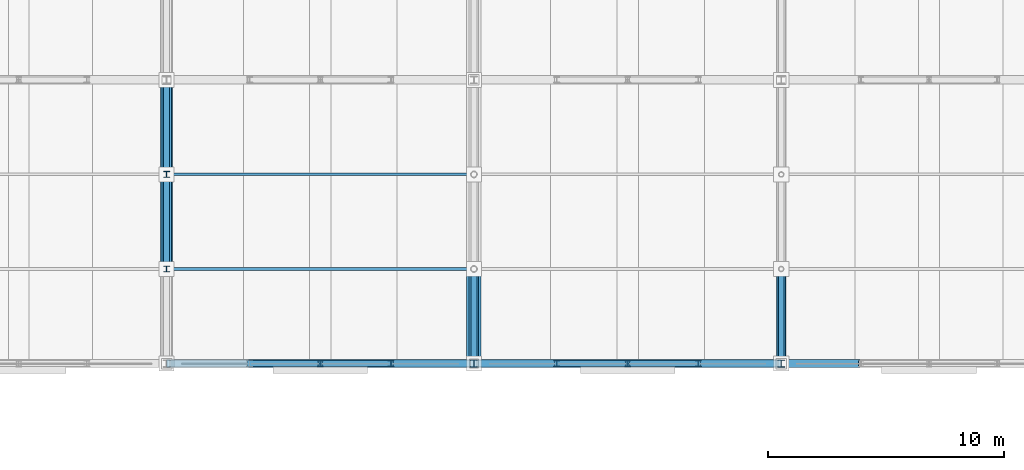
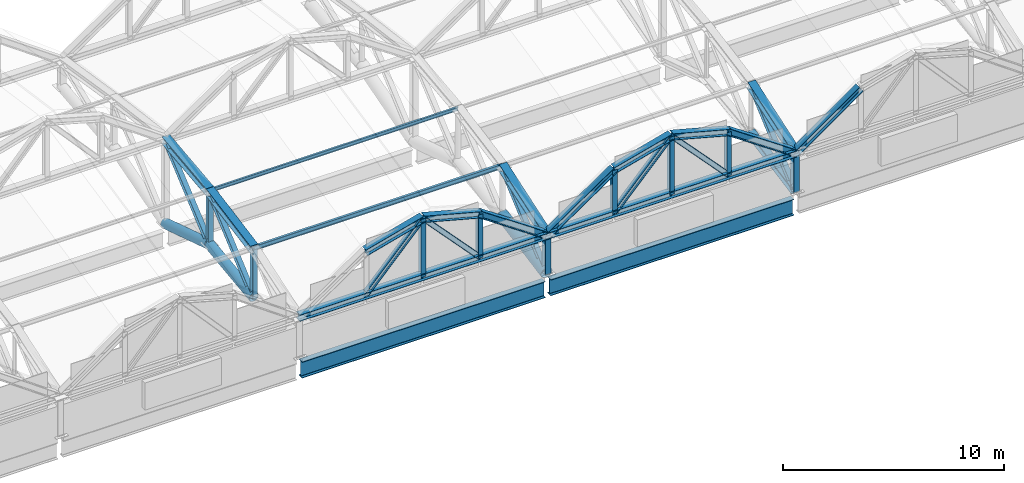
# One storey, part 22 of 117: 37 members, 2 beams.
"""IFC4 building model written with IfcOpenShell, lengths in metres."""

from ifc_helpers import new_model, si_unit, direction, frame, origin, origin_2d, place, context, subcontext, project, spatial, hollow_circle, i_section, extrude, material, material_profile, profile_set, type_object, element, save


model = new_model("IFC4")

# Units and contexts
model_context = context("Model", 3, precision=1e-05, world=origin(), true_north=direction((0.0, 1.0)))
body_context = subcontext(model_context, "Body", "Model", "MODEL_VIEW")
ifc_project = project(units=[si_unit("LENGTHUNIT", "METRE"), si_unit("AREAUNIT", "SQUARE_METRE"), si_unit("VOLUMEUNIT", "CUBIC_METRE"), si_unit("PLANEANGLEUNIT", "RADIAN"), si_unit("MASSUNIT", "GRAM", prefix="KILO")], contexts=[model_context])

# Site, building, storey
site_placement = place(None, origin())
site = spatial("IfcSite", under=ifc_project, at=site_placement, CompositionType="ELEMENT")
building_placement = place(site_placement, origin())
building = spatial("IfcBuilding", under=site, at=building_placement, Name="Kazenohara Klinker Stadium", CompositionType="ELEMENT")
storey_placement = place(building_placement, frame((0.0, 0.0, 31.199951171875)))
storey = spatial("IfcBuildingStorey", under=building, at=storey_placement, Name="RF", CompositionType="ELEMENT", Elevation=31.199951171875)

# Members
ifc_material = material(Name="Steel S355", Category="steel")
ifc_material_profile_1 = material_profile(ifc_material, i_section(OverallWidth=0.25, OverallDepth=0.25, WebThickness=0.009033203125, FlangeThickness=0.013916015625, FilletRadius=0.012939453125, at=origin_2d()), Name="H-250x250x9x14")
ifc_profile_set_1 = profile_set([ifc_material_profile_1], Name="Steel S355")
member_type_1 = type_object("IfcMemberType", Name="MEM-BRC02", PredefinedType="BRACE", material=ifc_profile_set_1)
member_1_placement = place(storey_placement, frame((99.0, 28.0, 0.75), z_axis=(0.0, 0.757253091298, 0.653121547432), x_axis=(-1.0, 0.0, 0.0)))
element("IfcMember", 1, at=member_1_placement, inside=storey, type_object=member_type_1, Name="ROOF TRUSS RT-S04 web diagonal 2", PredefinedType="BRACE", context=body_context, shape_type="SweptSolid", body=[
    extrude(i_section(OverallWidth=0.25, OverallDepth=0.25, WebThickness=0.009033203125, FlangeThickness=0.013916015625, FilletRadius=0.012939453125, at=origin_2d()), origin(), (0.0, 0.0, 1.0), 5.2822265625),
])
member_2_placement = place(storey_placement, frame((99.0, 32.0, 1.25), z_axis=(0.0, 0.761925548551, 0.647664618815), x_axis=(-1.0, 0.0, 0.0)))
element("IfcMember", 2, at=member_2_placement, inside=storey, type_object=member_type_1, Name="ROOF TRUSS RT-S04 web diagonal 3", PredefinedType="BRACE", context=body_context, shape_type="SweptSolid", body=[
    extrude(i_section(OverallWidth=0.25, OverallDepth=0.25, WebThickness=0.009033203125, FlangeThickness=0.013916015625, FilletRadius=0.012939453125, at=origin_2d()), origin(), (0.0, 0.0, 1.0), 5.249755859375),
])
for number, where, z_axis, x_axis, name in (
    (3, (112.0, 24.0, -0.02001953125), (0.0, 0.755380190588, 0.655286782765), (-1.0, 0.0, 0.0), "ROOF TRUSS RT-S05 web diagonal 1"),
    (4, (125.0, 24.0, -0.02001953125), (0.0, 0.755380190588, 0.655286782765), (-1.0, 0.0, 0.0), "ROOF TRUSS RT-S06 web diagonal 1"),
):
    element("IfcMember", number, at=place(storey_placement, frame(where, z_axis=z_axis, x_axis=x_axis)), inside=storey, type_object=member_type_1, Name=name, PredefinedType="BRACE", context=body_context, shape_type="SweptSolid", body=[
        extrude(i_section(OverallWidth=0.25, OverallDepth=0.25, WebThickness=0.009033203125, FlangeThickness=0.013916015625, FilletRadius=0.012939453125, at=origin_2d()), origin(), (0.0, 0.0, 1.0), 5.29541015625),
    ])
ifc_material_profile_2 = material_profile(ifc_material, i_section(OverallWidth=0.39990234375, OverallDepth=0.39990234375, WebThickness=0.012939453125, FlangeThickness=0.02099609375, FilletRadius=0.02197265625, at=origin_2d()), Name="H-400x400x13x21")
ifc_profile_set_2 = profile_set([ifc_material_profile_2], Name="Steel S355")
member_type_2 = type_object("IfcMemberType", Name="MEM-CHD01", PredefinedType="CHORD", material=ifc_profile_set_2)
member_3_placement = place(storey_placement, frame((99.0, 28.0, 3.449951171875), z_axis=(0.0, 0.982872186934, 0.18428853505), x_axis=(-1.0, 0.0, 0.0)))
element("IfcMember", 5, at=member_3_placement, inside=storey, type_object=member_type_2, Name="ROOF TRUSS RT-S04 top arched chord 2", PredefinedType="CHORD", context=body_context, shape_type="SweptSolid", body=[
    extrude(i_section(OverallWidth=0.39990234375, OverallDepth=0.39990234375, WebThickness=0.012939453125, FlangeThickness=0.02099609375, FilletRadius=0.02197265625, at=origin_2d()), origin(), (0.0, 0.0, 1.0), 4.06982421875),
])
member_4_placement = place(storey_placement, frame((99.0, 32.0, 4.199951171875), z_axis=(0.0, 0.993725924527, 0.111842688283), x_axis=(-1.0, 0.0, 0.0)))
element("IfcMember", 6, at=member_4_placement, inside=storey, type_object=member_type_2, Name="ROOF TRUSS RT-S04 top arched chord 3", PredefinedType="CHORD", context=body_context, shape_type="SweptSolid", body=[
    extrude(i_section(OverallWidth=0.39990234375, OverallDepth=0.39990234375, WebThickness=0.012939453125, FlangeThickness=0.02099609375, FilletRadius=0.02197265625, at=origin_2d()), origin(), (0.0, 0.0, 1.0), 4.025146484375),
])
for number, where, z_axis, x_axis, name in (
    (7, (112.0, 24.0, 2.10009765625), (0.0, 0.947502791724, 0.319747493618), (-1.0, 0.0, 0.0), "ROOF TRUSS RT-S05 top arched chord 1"),
    (8, (125.0, 24.0, 2.10009765625), (0.0, 0.947502791724, 0.319747493618), (-1.0, 0.0, 0.0), "ROOF TRUSS RT-S06 top arched chord 1"),
):
    element("IfcMember", number, at=place(storey_placement, frame(where, z_axis=z_axis, x_axis=x_axis)), inside=storey, type_object=member_type_2, Name=name, PredefinedType="CHORD", context=body_context, shape_type="SweptSolid", body=[
        extrude(i_section(OverallWidth=0.39990234375, OverallDepth=0.39990234375, WebThickness=0.012939453125, FlangeThickness=0.02099609375, FilletRadius=0.02197265625, at=origin_2d()), origin(), (0.0, 0.0, 1.0), 4.2216796875),
    ])
ifc_material_profile_3 = material_profile(ifc_material, i_section(OverallWidth=0.35009765625, OverallDepth=0.35009765625, WebThickness=0.011962890625, FlangeThickness=0.01904296875, FilletRadius=0.012939453125, at=origin_2d()), Name="H-350x350x12x19")
ifc_profile_set_3 = profile_set([ifc_material_profile_3], Name="Steel S355")
member_type_3 = type_object("IfcMemberType", Name="MEM-CHD02", PredefinedType="CHORD", material=ifc_profile_set_3)
member_5_placement = place(storey_placement, frame((125.0, 24.0, -0.02001953125), z_axis=(0.0, 0.981970519692, 0.189034119819), x_axis=(-1.0, 0.0, 0.0)))
element("IfcMember", 9, at=member_5_placement, inside=storey, type_object=member_type_3, Name="ROOF TRUSS RT-S06 bottom arched chord 1", PredefinedType="CHORD", context=body_context, shape_type="SweptSolid", body=[
    extrude(i_section(OverallWidth=0.35009765625, OverallDepth=0.35009765625, WebThickness=0.011962890625, FlangeThickness=0.01904296875, FilletRadius=0.012939453125, at=origin_2d()), origin(), (0.0, 0.0, 1.0), 4.073486328125),
])
member_6_placement = place(storey_placement, frame((99.0, 24.0, 2.10009765625), z_axis=(1.0, 0.0, 0.0), x_axis=(0.0, 1.0, 0.0)))
element("IfcMember", 10, at=member_6_placement, inside=storey, type_object=member_type_3, Name="Barrel arch tie chord TC02 S-04-N0", PredefinedType="CHORD", context=body_context, shape_type="SweptSolid", body=[
    extrude(i_section(OverallWidth=0.35009765625, OverallDepth=0.35009765625, WebThickness=0.011962890625, FlangeThickness=0.01904296875, FilletRadius=0.012939453125, at=origin_2d()), origin(), (0.0, 0.0, 1.0), 13.0),
])
for number, where, z_axis, x_axis, name in (
    (11, (102.510009765625, 24.0, 4.5), (0.966015959624, 0.0, 0.258482428324), (0.0, 1.0, 0.0), "Barrel arch top rib TC02 S-04-N0-S2"),
    (12, (105.5, 24.0, 5.300048828125), (0.966015959624, 0.0, -0.258482428324), (0.0, 1.0, 0.0), "Barrel arch top rib TC02 S-04-N0-S3"),
):
    element("IfcMember", number, at=place(storey_placement, frame(where, z_axis=z_axis, x_axis=x_axis)), inside=storey, type_object=member_type_3, Name=name, PredefinedType="CHORD", context=body_context, shape_type="SweptSolid", body=[
        extrude(i_section(OverallWidth=0.35009765625, OverallDepth=0.35009765625, WebThickness=0.011962890625, FlangeThickness=0.01904296875, FilletRadius=0.012939453125, at=origin_2d()), origin(), (0.0, 0.0, 1.0), 3.09521484375),
    ])
member_7_placement = place(storey_placement, frame((108.489990234375, 24.0, 4.5), z_axis=(0.825491711615, 0.0, -0.56441423977), x_axis=(0.0, 1.0, 0.0)))
element("IfcMember", 13, at=member_7_placement, inside=storey, type_object=member_type_3, Name="Barrel arch top rib TC02 S-04-N0-S4", PredefinedType="CHORD", context=body_context, shape_type="SweptSolid", body=[
    extrude(i_section(OverallWidth=0.35009765625, OverallDepth=0.35009765625, WebThickness=0.011962890625, FlangeThickness=0.01904296875, FilletRadius=0.012939453125, at=origin_2d()), origin(), (0.0, 0.0, 1.0), 4.251953125),
])
member_8_placement = place(storey_placement, frame((112.0, 24.0, 2.10009765625), z_axis=(1.0, 0.0, 0.0), x_axis=(0.0, 1.0, 0.0)))
element("IfcMember", 14, at=member_8_placement, inside=storey, type_object=member_type_3, Name="Barrel arch tie chord TC02 S-05-N0", PredefinedType="CHORD", context=body_context, shape_type="SweptSolid", body=[
    extrude(i_section(OverallWidth=0.35009765625, OverallDepth=0.35009765625, WebThickness=0.011962890625, FlangeThickness=0.01904296875, FilletRadius=0.012939453125, at=origin_2d()), origin(), (0.0, 0.0, 1.0), 13.0),
])
member_9_placement = place(storey_placement, frame((112.0, 24.0, 2.10009765625), z_axis=(0.825491711615, 0.0, 0.56441423977), x_axis=(0.0, 1.0, 0.0)))
element("IfcMember", 15, at=member_9_placement, inside=storey, type_object=member_type_3, Name="Barrel arch top rib TC02 S-05-N0-S1", PredefinedType="CHORD", context=body_context, shape_type="SweptSolid", body=[
    extrude(i_section(OverallWidth=0.35009765625, OverallDepth=0.35009765625, WebThickness=0.011962890625, FlangeThickness=0.01904296875, FilletRadius=0.012939453125, at=origin_2d()), origin(), (0.0, 0.0, 1.0), 4.251953125),
])
for number, where, z_axis, x_axis, name in (
    (16, (115.510009765625, 24.0, 4.5), (0.966015959624, 0.0, 0.258482428324), (0.0, 1.0, 0.0), "Barrel arch top rib TC02 S-05-N0-S2"),
    (17, (118.5, 24.0, 5.300048828125), (0.966015959624, 0.0, -0.258482428324), (0.0, 1.0, 0.0), "Barrel arch top rib TC02 S-05-N0-S3"),
):
    element("IfcMember", number, at=place(storey_placement, frame(where, z_axis=z_axis, x_axis=x_axis)), inside=storey, type_object=member_type_3, Name=name, PredefinedType="CHORD", context=body_context, shape_type="SweptSolid", body=[
        extrude(i_section(OverallWidth=0.35009765625, OverallDepth=0.35009765625, WebThickness=0.011962890625, FlangeThickness=0.01904296875, FilletRadius=0.012939453125, at=origin_2d()), origin(), (0.0, 0.0, 1.0), 3.09521484375),
    ])
member_10_placement = place(storey_placement, frame((121.489990234375, 24.0, 4.5), z_axis=(0.825491711615, 0.0, -0.56441423977), x_axis=(0.0, 1.0, 0.0)))
element("IfcMember", 18, at=member_10_placement, inside=storey, type_object=member_type_3, Name="Barrel arch top rib TC02 S-05-N0-S4", PredefinedType="CHORD", context=body_context, shape_type="SweptSolid", body=[
    extrude(i_section(OverallWidth=0.35009765625, OverallDepth=0.35009765625, WebThickness=0.011962890625, FlangeThickness=0.01904296875, FilletRadius=0.012939453125, at=origin_2d()), origin(), (0.0, 0.0, 1.0), 4.251953125),
])
member_11_placement = place(storey_placement, frame((125.0, 24.0, 2.10009765625), z_axis=(0.814966461491, 0.0, 0.579508124744), x_axis=(0.0, 1.0, 0.0)))
element("IfcMember", 19, at=member_11_placement, inside=storey, type_object=member_type_3, Name="Barrel arch top rib TC02 S-06-N0-S1", PredefinedType="CHORD", context=body_context, shape_type="SweptSolid", body=[
    extrude(i_section(OverallWidth=0.35009765625, OverallDepth=0.35009765625, WebThickness=0.011962890625, FlangeThickness=0.01904296875, FilletRadius=0.012939453125, at=origin_2d()), origin(), (0.0, 0.0, 1.0), 4.141357421875),
])
ifc_material_profile_4 = material_profile(ifc_material, hollow_circle(Radius=0.25390625, WallThickness=0.01611328125, at=origin_2d()), Name="CHS-508.0x16")
ifc_profile_set_4 = profile_set([ifc_material_profile_4], Name="Steel S355")
member_type_4 = type_object("IfcMemberType", Name="MEM-CHD04", PredefinedType="CHORD", material=ifc_profile_set_4)
member_12_placement = place(storey_placement, frame((99.0, 28.0, 0.75), z_axis=(0.0, 0.992277876714, 0.124034734589), x_axis=(-1.0, 0.0, 0.0)))
element("IfcMember", 20, at=member_12_placement, inside=storey, type_object=member_type_4, Name="ROOF TRUSS RT-S04 bottom arched chord 2", PredefinedType="CHORD", context=body_context, shape_type="SweptSolid", body=[
    extrude(hollow_circle(Radius=0.25390625, WallThickness=0.01611328125, at=origin_2d()), origin(), (0.0, 0.0, 1.0), 4.03125),
])
member_13_placement = place(storey_placement, frame((99.0, 32.0, 1.25), z_axis=(0.0, 0.953112016541, -0.302617719119), x_axis=(-1.0, 0.0, 0.0)))
element("IfcMember", 21, at=member_13_placement, inside=storey, type_object=member_type_4, Name="ROOF TRUSS RT-S04 bottom arched chord 3", PredefinedType="CHORD", context=body_context, shape_type="SweptSolid", body=[
    extrude(hollow_circle(Radius=0.25390625, WallThickness=0.01611328125, at=origin_2d()), origin(), (0.0, 0.0, 1.0), 4.19677734375),
])
ifc_material_profile_5 = material_profile(ifc_material, hollow_circle(Radius=0.3046875, WallThickness=0.01611328125, at=origin_2d()), Name="CHS-609.6x16")
ifc_profile_set_5 = profile_set([ifc_material_profile_5], Name="Steel S355")
member_type_5 = type_object("IfcMemberType", Name="MEM-CHD05", PredefinedType="CHORD", material=ifc_profile_set_5)
member_14_placement = place(storey_placement, frame((112.0, 24.0, -0.02001953125), z_axis=(0.0, 0.981970519692, 0.189034119819), x_axis=(-1.0, 0.0, 0.0)))
element("IfcMember", 22, at=member_14_placement, inside=storey, type_object=member_type_5, Name="ROOF TRUSS RT-S05 bottom arched chord 1", PredefinedType="CHORD", context=body_context, shape_type="SweptSolid", body=[
    extrude(hollow_circle(Radius=0.3046875, WallThickness=0.01611328125, at=origin_2d()), origin(), (0.0, 0.0, 1.0), 4.073486328125),
])
ifc_material_profile_6 = material_profile(ifc_material, i_section(OverallWidth=0.125, OverallDepth=0.25, WebThickness=0.006103515625, FlangeThickness=0.009033203125, FilletRadius=0.008056640625, at=origin_2d()), Name="H-250x125x6x9")
ifc_profile_set_6 = profile_set([ifc_material_profile_6], Name="Steel S355")
member_type_6 = type_object("IfcMemberType", Name="MEM-PUR01", PredefinedType="PURLIN", material=ifc_profile_set_6)
member_15_placement = place(storey_placement, frame((99.0, 28.0, 3.469970703125), z_axis=(1.0, 0.0, 0.0), x_axis=(0.0, 1.0, 0.0)))
element("IfcMember", 23, at=member_15_placement, inside=storey, type_object=member_type_6, Name="Canopy valley tie purlin PR01 S-04-N1", PredefinedType="PURLIN", context=body_context, shape_type="SweptSolid", body=[
    extrude(i_section(OverallWidth=0.125, OverallDepth=0.25, WebThickness=0.006103515625, FlangeThickness=0.009033203125, FilletRadius=0.008056640625, at=origin_2d()), origin(), (0.0, 0.0, 1.0), 13.0),
])
ifc_material_profile_7 = material_profile(ifc_material, i_section(OverallWidth=0.10009765625, OverallDepth=0.199951171875, WebThickness=0.005615234375, FlangeThickness=0.008056640625, FilletRadius=0.008056640625, at=origin_2d()), Name="H-200x100x5.5x8")
ifc_profile_set_7 = profile_set([ifc_material_profile_7], Name="Steel S355")
member_type_7 = type_object("IfcMemberType", Name="MEM-PUR02", PredefinedType="PURLIN", material=ifc_profile_set_7)
member_16_placement = place(storey_placement, frame((99.0, 32.0, 4.219970703125), z_axis=(1.0, 0.0, 0.0), x_axis=(0.0, 1.0, 0.0)))
element("IfcMember", 24, at=member_16_placement, inside=storey, type_object=member_type_7, Name="Canopy valley tie purlin PR02 S-04-N2", PredefinedType="PURLIN", context=body_context, shape_type="SweptSolid", body=[
    extrude(i_section(OverallWidth=0.10009765625, OverallDepth=0.199951171875, WebThickness=0.005615234375, FlangeThickness=0.008056640625, FilletRadius=0.008056640625, at=origin_2d()), origin(), (0.0, 0.0, 1.0), 13.0),
])
ifc_material_profile_8 = material_profile(ifc_material, i_section(OverallWidth=0.300048828125, OverallDepth=0.300048828125, WebThickness=0.010009765625, FlangeThickness=0.014892578125, FilletRadius=0.012939453125, at=origin_2d()), Name="H-300x300x10x15")
ifc_profile_set_8 = profile_set([ifc_material_profile_8], Name="Steel S355")
member_type_8 = type_object("IfcMemberType", Name="MEM-STR01", PredefinedType="STRUT", material=ifc_profile_set_8)
for number, where, z_axis, x_axis, name in (
    (25, (112.0, 24.0, -0.02001953125), (0.0, 0.0, 1.0), (1.0, 0.0, 0.0), "ROOF TRUSS RT-S05 web post 1"),
    (26, (125.0, 24.0, -0.02001953125), (0.0, 0.0, 1.0), (1.0, 0.0, 0.0), "ROOF TRUSS RT-S06 web post 1"),
):
    element("IfcMember", number, at=place(storey_placement, frame(where, z_axis=z_axis, x_axis=x_axis)), inside=storey, type_object=member_type_8, Name=name, PredefinedType="STRUT", context=body_context, shape_type="SweptSolid", body=[
        extrude(i_section(OverallWidth=0.300048828125, OverallDepth=0.300048828125, WebThickness=0.010009765625, FlangeThickness=0.014892578125, FilletRadius=0.012939453125, at=origin_2d()), origin(), (0.0, 0.0, 1.0), 2.1201171875),
    ])
ifc_material_profile_9 = material_profile(ifc_material, i_section(OverallWidth=0.25, OverallDepth=0.25, WebThickness=0.009033203125, FlangeThickness=0.013916015625, FilletRadius=0.012939453125, at=origin_2d()), Name="H-250x250x9x14")
ifc_profile_set_9 = profile_set([ifc_material_profile_9], Name="Steel S355")
member_type_9 = type_object("IfcMemberType", Name="MEM-STR02", PredefinedType="STRUT", material=ifc_profile_set_9)
member_17_placement = place(storey_placement, frame((99.0, 28.0, 0.75), z_axis=(0.0, 0.0, 1.0), x_axis=(1.0, 0.0, 0.0)))
element("IfcMember", 27, at=member_17_placement, inside=storey, type_object=member_type_9, Name="ROOF TRUSS RT-S04 web post 2", PredefinedType="STRUT", context=body_context, shape_type="SweptSolid", body=[
    extrude(i_section(OverallWidth=0.25, OverallDepth=0.25, WebThickness=0.009033203125, FlangeThickness=0.013916015625, FilletRadius=0.012939453125, at=origin_2d()), origin(), (0.0, 0.0, 1.0), 2.699951171875),
])
member_18_placement = place(storey_placement, frame((99.0, 32.0, 1.25), z_axis=(0.0, 0.0, 1.0), x_axis=(1.0, 0.0, 0.0)))
element("IfcMember", 28, at=member_18_placement, inside=storey, type_object=member_type_9, Name="ROOF TRUSS RT-S04 web post 3", PredefinedType="STRUT", context=body_context, shape_type="SweptSolid", body=[
    extrude(i_section(OverallWidth=0.25, OverallDepth=0.25, WebThickness=0.009033203125, FlangeThickness=0.013916015625, FilletRadius=0.012939453125, at=origin_2d()), origin(), (0.0, 0.0, 1.0), 2.949951171875),
])
member_19_placement = place(storey_placement, frame((105.5, 24.0, 2.10009765625), z_axis=(0.0, 0.0, 1.0), x_axis=(1.0, 0.0, 0.0)))
element("IfcMember", 29, at=member_19_placement, inside=storey, type_object=member_type_9, Name="Barrel arch web post TS02 S-04-N0-P2", PredefinedType="STRUT", context=body_context, shape_type="SweptSolid", body=[
    extrude(i_section(OverallWidth=0.25, OverallDepth=0.25, WebThickness=0.009033203125, FlangeThickness=0.013916015625, FilletRadius=0.012939453125, at=origin_2d()), origin(), (0.0, 0.0, 1.0), 3.199951171875),
])
member_20_placement = place(storey_placement, frame((108.489990234375, 24.0, 2.10009765625), z_axis=(0.0, 0.0, 1.0), x_axis=(1.0, 0.0, 0.0)))
element("IfcMember", 30, at=member_20_placement, inside=storey, type_object=member_type_9, Name="Barrel arch web post TS02 S-04-N0-P3", PredefinedType="STRUT", context=body_context, shape_type="SweptSolid", body=[
    extrude(i_section(OverallWidth=0.25, OverallDepth=0.25, WebThickness=0.009033203125, FlangeThickness=0.013916015625, FilletRadius=0.012939453125, at=origin_2d()), origin(), (0.0, 0.0, 1.0), 2.39990234375),
])
for number, where, z_axis, x_axis, name in (
    (31, (102.510009765625, 24.0, 2.10009765625), (0.682729290589, 0.0, 0.730671414366), (0.0, 1.0, 0.0), "Barrel arch web diagonal TS02 S-04-N0-D1"),
    (32, (108.489990234375, 24.0, 2.10009765625), (-0.682729290589, 0.0, 0.730671414366), (0.0, -1.0, 0.0), "Barrel arch web diagonal TS02 S-04-N0-D2"),
):
    element("IfcMember", number, at=place(storey_placement, frame(where, z_axis=z_axis, x_axis=x_axis)), inside=storey, type_object=member_type_9, Name=name, PredefinedType="STRUT", context=body_context, shape_type="SweptSolid", body=[
        extrude(i_section(OverallWidth=0.25, OverallDepth=0.25, WebThickness=0.009033203125, FlangeThickness=0.013916015625, FilletRadius=0.012939453125, at=origin_2d()), origin(), (0.0, 0.0, 1.0), 4.37939453125),
    ])
member_21_placement = place(storey_placement, frame((115.510009765625, 24.0, 2.10009765625), z_axis=(0.0, 0.0, 1.0), x_axis=(1.0, 0.0, 0.0)))
element("IfcMember", 33, at=member_21_placement, inside=storey, type_object=member_type_9, Name="Barrel arch web post TS02 S-05-N0-P1", PredefinedType="STRUT", context=body_context, shape_type="SweptSolid", body=[
    extrude(i_section(OverallWidth=0.25, OverallDepth=0.25, WebThickness=0.009033203125, FlangeThickness=0.013916015625, FilletRadius=0.012939453125, at=origin_2d()), origin(), (0.0, 0.0, 1.0), 2.39990234375),
])
member_22_placement = place(storey_placement, frame((118.5, 24.0, 2.10009765625), z_axis=(0.0, 0.0, 1.0), x_axis=(1.0, 0.0, 0.0)))
element("IfcMember", 34, at=member_22_placement, inside=storey, type_object=member_type_9, Name="Barrel arch web post TS02 S-05-N0-P2", PredefinedType="STRUT", context=body_context, shape_type="SweptSolid", body=[
    extrude(i_section(OverallWidth=0.25, OverallDepth=0.25, WebThickness=0.009033203125, FlangeThickness=0.013916015625, FilletRadius=0.012939453125, at=origin_2d()), origin(), (0.0, 0.0, 1.0), 3.199951171875),
])
member_23_placement = place(storey_placement, frame((121.489990234375, 24.0, 2.10009765625), z_axis=(0.0, 0.0, 1.0), x_axis=(1.0, 0.0, 0.0)))
element("IfcMember", 35, at=member_23_placement, inside=storey, type_object=member_type_9, Name="Barrel arch web post TS02 S-05-N0-P3", PredefinedType="STRUT", context=body_context, shape_type="SweptSolid", body=[
    extrude(i_section(OverallWidth=0.25, OverallDepth=0.25, WebThickness=0.009033203125, FlangeThickness=0.013916015625, FilletRadius=0.012939453125, at=origin_2d()), origin(), (0.0, 0.0, 1.0), 2.39990234375),
])
for number, where, z_axis, x_axis, name in (
    (36, (115.510009765625, 24.0, 2.10009765625), (0.682729290589, 0.0, 0.730671414366), (0.0, 1.0, 0.0), "Barrel arch web diagonal TS02 S-05-N0-D1"),
    (37, (121.489990234375, 24.0, 2.10009765625), (-0.682729290589, 0.0, 0.730671414366), (0.0, -1.0, 0.0), "Barrel arch web diagonal TS02 S-05-N0-D2"),
):
    element("IfcMember", number, at=place(storey_placement, frame(where, z_axis=z_axis, x_axis=x_axis)), inside=storey, type_object=member_type_9, Name=name, PredefinedType="STRUT", context=body_context, shape_type="SweptSolid", body=[
        extrude(i_section(OverallWidth=0.25, OverallDepth=0.25, WebThickness=0.009033203125, FlangeThickness=0.013916015625, FilletRadius=0.012939453125, at=origin_2d()), origin(), (0.0, 0.0, 1.0), 4.37939453125),
    ])

# Beams
ifc_material_profile_10 = material_profile(ifc_material, i_section(OverallWidth=0.300048828125, OverallDepth=0.89990234375, WebThickness=0.01611328125, FlangeThickness=0.028076171875, FilletRadius=0.02197265625, at=origin_2d()), Name="H-900x300x16x28")
ifc_profile_set_10 = profile_set([ifc_material_profile_10], Name="Steel S355")
beam_type = type_object("IfcBeamType", Name="RING-RB01", PredefinedType="USERDEFINED", material=ifc_profile_set_10)
for number, where, z_axis, x_axis, name in (
    (38, (99.139892578125, 24.0, -0.820068359375), (1.0, 0.0, 0.0), (0.0, 1.0, 0.0), "Roof ring beam RB01 S-OUT 9-10"),
    (39, (112.139892578125, 24.0, -0.820068359375), (1.0, 0.0, 0.0), (0.0, 1.0, 0.0), "Roof ring beam RB01 S-OUT 10-11"),
):
    element("IfcBeam", number, at=place(storey_placement, frame(where, z_axis=z_axis, x_axis=x_axis)), inside=storey, type_object=beam_type, Name=name, ObjectType="RING BEAM", PredefinedType="USERDEFINED", context=body_context, shape_type="SweptSolid", body=[
        extrude(i_section(OverallWidth=0.300048828125, OverallDepth=0.89990234375, WebThickness=0.01611328125, FlangeThickness=0.028076171875, FilletRadius=0.02197265625, at=origin_2d()), origin(), (0.0, 0.0, 1.0), 12.72021484375),
    ])

save(model, "model.ifc")
